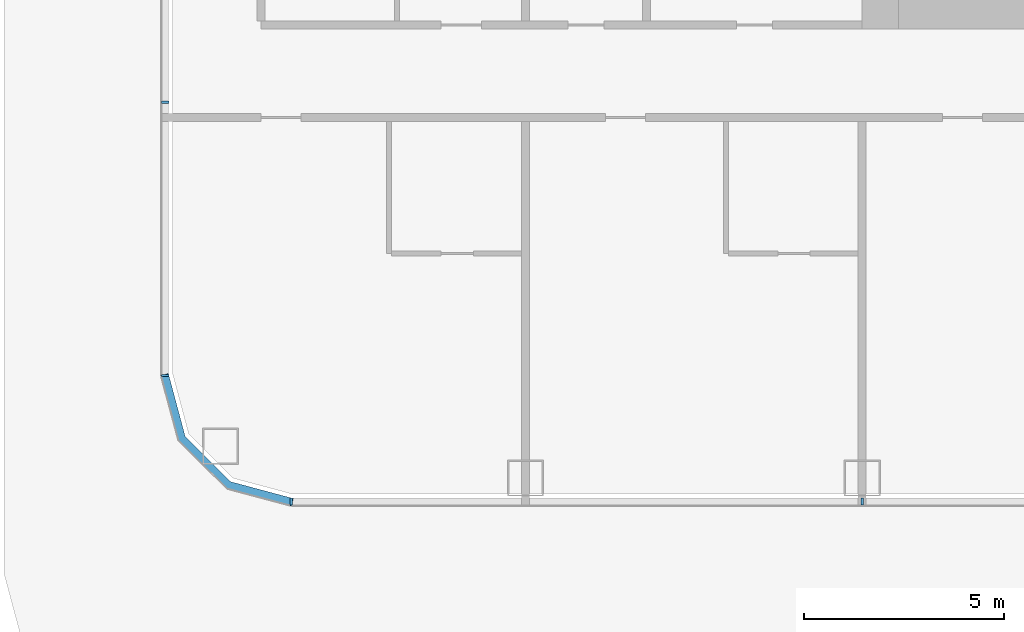
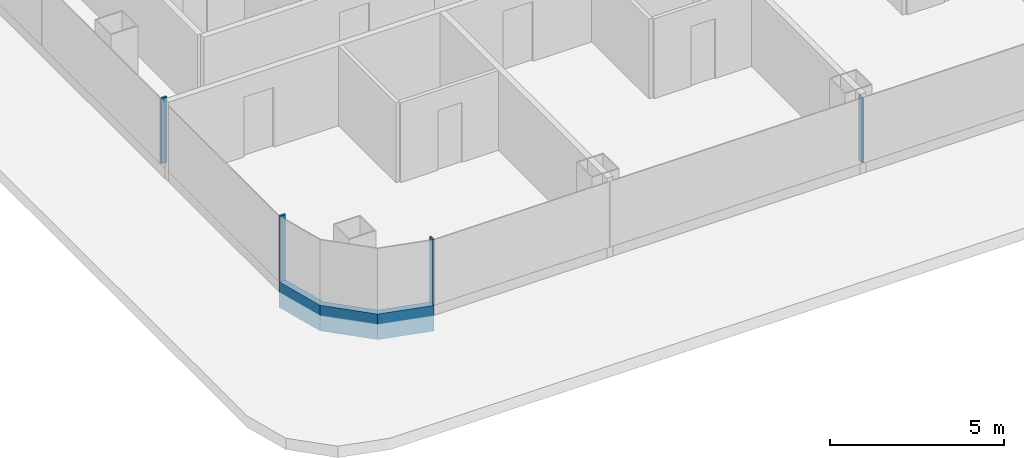
# One storey, part 3 of 42: 5 members, 3 elements without a shape of their own.
"""IFC4 building model written with IfcOpenShell, lengths in metres."""

from ifc_helpers import new_model, si_unit, direction, frame, origin, origin_2d, place, context, subcontext, project, spatial, polyline, rectangle, outline, extrude, material, layer, layer_set, material_profile, profile_set, type_object, element, aggregate, save


model = new_model("IFC4")

# Units and contexts
model_context = context("Model", 3, precision=1e-05, world=origin(), true_north=direction((0.0, 1.0)))
body_context = subcontext(model_context, "Body", "Model", "MODEL_VIEW")
ifc_project = project(units=[si_unit("LENGTHUNIT", "METRE"), si_unit("AREAUNIT", "SQUARE_METRE"), si_unit("VOLUMEUNIT", "CUBIC_METRE"), si_unit("PLANEANGLEUNIT", "RADIAN"), si_unit("MASSUNIT", "GRAM", prefix="KILO")], contexts=[model_context])

# Site, building, storey
site_placement = place(None, origin())
site = spatial("IfcSite", under=ifc_project, at=site_placement, CompositionType="ELEMENT")
building_placement = place(site_placement, origin())
building = spatial("IfcBuilding", under=site, at=building_placement, Name="Hakoniwa Tower and Hamabe Station Hall", CompositionType="ELEMENT")
storey_placement = place(building_placement, frame((0.0, 0.0, 19.800048828125)))
storey = spatial("IfcBuildingStorey", under=building, at=storey_placement, Name="L04", CompositionType="ELEMENT", Elevation=19.800048828125)

# Curtain wall, member
ifc_material_1 = material(Name="Dark low-e laminated glass", Category="glass")
ifc_layer = layer(ifc_material_1, 0.199951171875)
ifc_layer_set = layer_set([ifc_layer], Name="CW-1 UNITISED GUEST")
curtain_wall_type = type_object("IfcCurtainWallType", Name="CW-1 UNITISED GUEST", PredefinedType="NOTDEFINED", material=ifc_layer_set)
curtain_wall_1_placement = place(storey_placement, origin())
curtain_wall_1 = element("IfcCurtainWall", 1, at=curtain_wall_1_placement, inside=storey, type_object=curtain_wall_type, Name="CW-1 curtain wall", PredefinedType="NOTDEFINED")
ifc_material_2 = material(Name="Aluminium 6063-T5 black anodised", Category="aluminium")
ifc_material_profile_1 = material_profile(ifc_material_2, rectangle(XDim=0.199951171875, YDim=0.89990234375, at=origin_2d()), Name="CW SLAB-EDGE BAND 900X200")
ifc_profile_set_1 = profile_set([ifc_material_profile_1], Name="Aluminium 6063-T5 black anodised")
member_type_1 = type_object("IfcMemberType", Name="CW SLAB-EDGE BAND 900X200", PredefinedType="USERDEFINED", material=ifc_profile_set_1)
member_1_placement = place(storey_placement, frame((0.0, 0.0, -0.550048828125)))
member_1 = element("IfcMember", 2, at=member_1_placement, type_object=member_type_1, Name="CW-1 transom", ObjectType="TRANSOM", PredefinedType="USERDEFINED", context=body_context, shape_type="SweptSolid", body=[
    extrude(outline(polyline([(-51.10009765625, -17.03955078125), (-50.6669921875, -18.6552734375), (-49.455322265625, -19.866943359375), (-47.839599609375, -20.300048828125), (-47.787841796875, -20.10693359375), (-49.351806640625, -19.687744140625), (-50.48779296875, -18.5517578125), (-50.90673828125, -16.98779296875), (-51.10009765625, -17.03955078125)])), origin(), (0.0, 0.0, 1.0), 0.89990234375),
])
aggregate(curtain_wall_1, [member_1])

# Curtain wall, members
curtain_wall_2_placement = place(storey_placement, origin())
curtain_wall_2 = element("IfcCurtainWall", 3, at=curtain_wall_2_placement, inside=storey, type_object=curtain_wall_type, Name="CW-1 curtain wall", PredefinedType="NOTDEFINED")
ifc_material_3 = material(Name="Aluminium 6063-T5 black anodised", Category="aluminium")
ifc_material_profile_2 = material_profile(ifc_material_3, rectangle(XDim=0.06005859375, YDim=0.179931640625, at=origin_2d()), Name="CW-1 MULLION 60X180")
ifc_profile_set_2 = profile_set([ifc_material_profile_2], Name="Aluminium 6063-T5 black anodised")
member_type_2 = type_object("IfcMemberType", Name="CW-1 MULLION 60X180", PredefinedType="MULLION", material=ifc_profile_set_2)
member_2_placement = place(storey_placement, frame((-50.98193359375, -10.2236328125, 0.349853515625), z_axis=(0.0, 0.0, 1.0), x_axis=(0.0, -1.0, 0.0)))
member_2 = element("IfcMember", 4, at=member_2_placement, type_object=member_type_2, Name="CW-1 mullion", PredefinedType="MULLION", context=body_context, shape_type="SweptSolid", body=[
    extrude(rectangle(XDim=0.06005859375, YDim=0.179931640625, at=origin_2d()), origin(), (0.0, 0.0, 1.0), 2.300048828125),
])
member_3_placement = place(storey_placement, frame((-50.98193359375, -17.03955078125, 0.349853515625), z_axis=(0.0, 0.0, 1.0), x_axis=(0.0, -1.0, 0.0)))
member_3 = element("IfcMember", 5, at=member_3_placement, type_object=member_type_2, Name="CW-1 mullion", PredefinedType="MULLION", context=body_context, shape_type="SweptSolid", body=[
    extrude(rectangle(XDim=0.06005859375, YDim=0.179931640625, at=origin_2d()), origin(), (0.0, 0.0, 1.0), 2.300048828125),
])
aggregate(curtain_wall_2, [member_2, member_3])

curtain_wall_3_placement = place(storey_placement, origin())
curtain_wall_3 = element("IfcCurtainWall", 6, at=curtain_wall_3_placement, inside=storey, type_object=curtain_wall_type, Name="CW-1 curtain wall", PredefinedType="NOTDEFINED")
member_4_placement = place(storey_placement, frame((-47.839599609375, -20.181884765625, 0.349853515625), z_axis=(0.0, 0.0, 1.0), x_axis=(1.0, 0.0, 0.0)))
member_4 = element("IfcMember", 7, at=member_4_placement, type_object=member_type_2, Name="CW-1 mullion", PredefinedType="MULLION", context=body_context, shape_type="SweptSolid", body=[
    extrude(rectangle(XDim=0.06005859375, YDim=0.179931640625, at=origin_2d()), origin(), (0.0, 0.0, 1.0), 2.300048828125),
])
member_5_placement = place(storey_placement, frame((-33.60009765625, -20.181884765625, 0.349853515625), z_axis=(0.0, 0.0, 1.0), x_axis=(1.0, 0.0, 0.0)))
member_5 = element("IfcMember", 8, at=member_5_placement, type_object=member_type_2, Name="CW-1 mullion", PredefinedType="MULLION", context=body_context, shape_type="SweptSolid", body=[
    extrude(rectangle(XDim=0.06005859375, YDim=0.179931640625, at=origin_2d()), origin(), (0.0, 0.0, 1.0), 2.300048828125),
])
aggregate(curtain_wall_3, [member_4, member_5])

save(model, "model.ifc")
